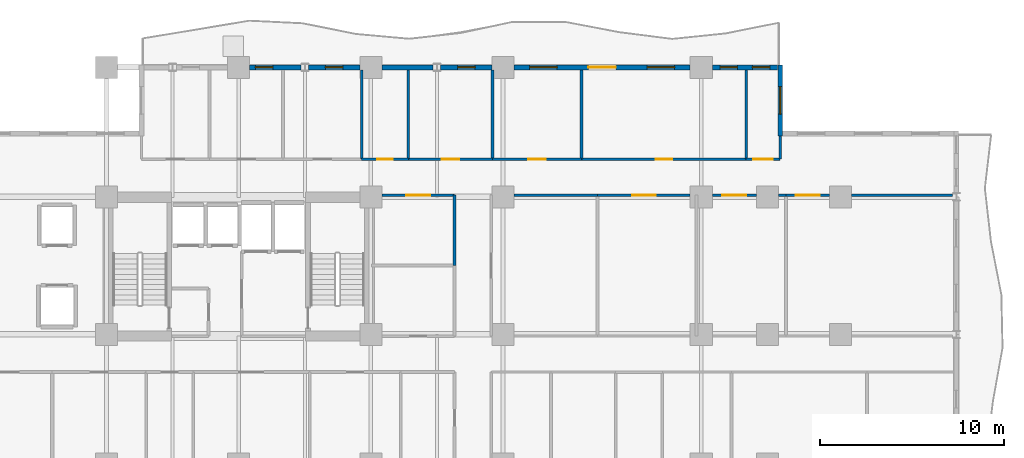
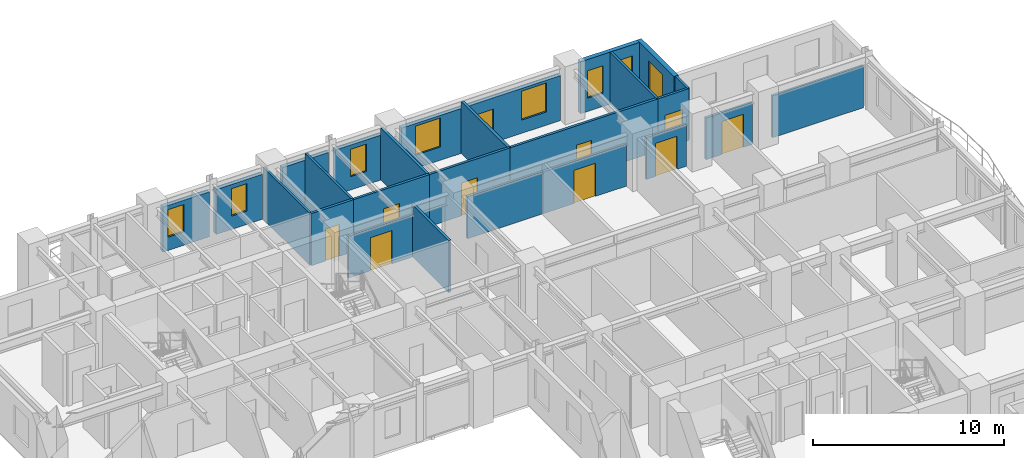
# One storey, part 7 of 11: 26 walls, 10 doors, 8 windows, 18 openings.
"""IFC4 building model written with IfcOpenShell, lengths in metres."""

from ifc_helpers import new_model, si_unit, direction, frame, frame_2d, origin, place, context, subcontext, project, spatial, rectangle, extrude, material, layer, layer_set, type_object, element, fill, save


model = new_model("IFC4")

# Units and contexts
model_context = context("Model", 3, precision=1e-05, world=origin(), true_north=direction((0.0, 1.0)))
body_context = subcontext(model_context, "Body", "Model", "MODEL_VIEW")
ifc_project = project(units=[si_unit("LENGTHUNIT", "METRE"), si_unit("AREAUNIT", "SQUARE_METRE"), si_unit("VOLUMEUNIT", "CUBIC_METRE"), si_unit("PLANEANGLEUNIT", "RADIAN"), si_unit("MASSUNIT", "GRAM", prefix="KILO")], contexts=[model_context])

# Site, building, storey
site_placement = place(None, origin())
site = spatial("IfcSite", under=ifc_project, at=site_placement, CompositionType="ELEMENT")
building_placement = place(site_placement, origin())
building = spatial("IfcBuilding", under=site, at=building_placement, Name="Kaliganga Portal Commons", CompositionType="ELEMENT")
storey_placement = place(building_placement, frame((0.0, 0.0, 126.699951171875)))
storey = spatial("IfcBuildingStorey", under=building, at=storey_placement, Name="L32", CompositionType="ELEMENT", Elevation=126.699951171875)

# Wall, opening, window
ifc_material_1 = material(Name="Insulated Aluminium-Clad Spandrel Assembly", Category="aluminium")
ifc_layer_1 = layer(ifc_material_1, 0.260009765625)
ifc_layer_set_1 = layer_set([ifc_layer_1], Name="Insulated Aluminium-Clad Spandrel Assembly")
wall_type_1 = type_object("IfcWallType", Name="WL-EXT-SPAND-260", PredefinedType="STANDARD", material=ifc_layer_set_1)
wall_1_placement = place(storey_placement, frame((51.10009765625, 43.330078125, 0.0), z_axis=(0.0, 0.0, 1.0), x_axis=(0.0, -1.0, 0.0)))
wall_1 = element("IfcWall", 1, at=wall_1_placement, inside=storey, type_object=wall_type_1, Name="Exterior Envelope Wall L32 P1-E05-S1", PredefinedType="STANDARD", context=body_context, shape_type="SweptSolid", body=[
    extrude(rectangle(XDim=3.860107421875, YDim=0.260009765625, at=frame_2d((1.93017578125, 0.0))), origin(), (0.0, 0.0, 1.0), 3.320068359375),
])
opening_1_placement = place(wall_1_placement, frame((1.179931640625, 0.0, 0.85009765625)))
opening_1 = element("IfcOpeningElement", 2, at=opening_1_placement, cuts=wall_1, Name="Opening W-02", PredefinedType="OPENING", context=body_context, shape_type="SweptSolid", body=[
    extrude(rectangle(XDim=1.5, YDim=1.85009765625, at=frame_2d((0.75, 0.925048828125))), frame((0.0, 0.14013671875, 0.0), z_axis=(0.0, -1.0, 0.0), x_axis=(1.0, 0.0, 0.0)), (0.0, 0.0, 1.0), 0.280029296875),
])
ifc_material_2 = material(Name="Thermally Broken Aluminium and Low-E Double Glazing", Category="aluminium")
window_type_1 = type_object("IfcWindowType", Name="WIN-STD-1500", PartitioningType="DOUBLE_PANEL_VERTICAL", PredefinedType="WINDOW", material=ifc_material_2)
window_1_placement = place(opening_1_placement, origin())
window_1 = element("IfcWindow", 3, at=window_1_placement, inside=storey, type_object=window_type_1, Name="Facade Window L32-P1E05S1-00", OverallHeight=1.85009765625, OverallWidth=1.5, PartitioningType="SINGLE_PANEL", PredefinedType="WINDOW", context=body_context, shape_type="SweptSolid", body=[
    extrude(rectangle(XDim=1.5, YDim=1.85009765625, at=frame_2d((0.75, 0.925048828125))), frame((0.0, 0.030029296875, 0.0), z_axis=(0.0, -1.0, 0.0), x_axis=(1.0, 0.0, 0.0)), (0.0, 0.0, 1.0), 0.06005859375),
])
fill(opening_1, window_1)

# Wall, openings, windows
wall_2_placement = place(storey_placement, frame((47.40087890625, 43.199951171875, 0.0), z_axis=(0.0, 0.0, 1.0), x_axis=(1.0, 0.0, 0.0)))
wall_2 = element("IfcWall", 4, at=wall_2_placement, inside=storey, type_object=wall_type_1, Name="Exterior Envelope Wall L32 P1-E06-S1", PredefinedType="STANDARD", context=body_context, shape_type="SweptSolid", body=[
    extrude(rectangle(XDim=3.564208984375, YDim=0.260009765625, at=frame_2d((1.7822265625, 0.0))), origin(), (0.0, 0.0, 1.0), 3.320068359375),
])
opening_2_placement = place(wall_2_placement, frame((0.423095703125, 0.0, 0.85009765625)))
opening_2 = element("IfcOpeningElement", 5, at=opening_2_placement, cuts=wall_2, Name="Opening W-04", PredefinedType="OPENING", context=body_context, shape_type="SweptSolid", body=[
    extrude(rectangle(XDim=0.949951171875, YDim=1.75, at=frame_2d((0.47509765625, 0.875))), frame((0.0, 0.14013671875, 0.0), z_axis=(0.0, -1.0, 0.0), x_axis=(1.0, 0.0, 0.0)), (0.0, 0.0, 1.0), 0.280029296875),
])
opening_3_placement = place(wall_2_placement, frame((2.19091796875, 0.0, 0.85009765625)))
opening_3 = element("IfcOpeningElement", 6, at=opening_3_placement, cuts=wall_2, Name="Opening W-04", PredefinedType="OPENING", context=body_context, shape_type="SweptSolid", body=[
    extrude(rectangle(XDim=0.949951171875, YDim=1.75, at=frame_2d((0.47509765625, 0.875))), frame((0.0, 0.14013671875, 0.0), z_axis=(0.0, -1.0, 0.0), x_axis=(1.0, 0.0, 0.0)), (0.0, 0.0, 1.0), 0.280029296875),
])
window_type_2 = type_object("IfcWindowType", Name="WIN-NARROW-950", PartitioningType="SINGLE_PANEL", PredefinedType="WINDOW", material=ifc_material_2)
window_2_placement = place(opening_2_placement, origin())
window_2 = element("IfcWindow", 7, at=window_2_placement, inside=storey, type_object=window_type_2, Name="Facade Window L32-P1E06S1-N1", OverallHeight=1.75, OverallWidth=0.949951171875, PartitioningType="SINGLE_PANEL", PredefinedType="WINDOW", context=body_context, shape_type="SweptSolid", body=[
    extrude(rectangle(XDim=0.949951171875, YDim=1.75, at=frame_2d((0.47509765625, 0.875))), frame((0.0, 0.030029296875, 0.0), z_axis=(0.0, -1.0, 0.0), x_axis=(1.0, 0.0, 0.0)), (0.0, 0.0, 1.0), 0.06005859375),
])
fill(opening_2, window_2)
window_3_placement = place(opening_3_placement, origin())
window_3 = element("IfcWindow", 8, at=window_3_placement, inside=storey, type_object=window_type_2, Name="Facade Window L32-P1E06S1-N2", OverallHeight=1.75, OverallWidth=0.949951171875, PartitioningType="SINGLE_PANEL", PredefinedType="WINDOW", context=body_context, shape_type="SweptSolid", body=[
    extrude(rectangle(XDim=0.949951171875, YDim=1.75, at=frame_2d((0.47509765625, 0.875))), frame((0.0, 0.030029296875, 0.0), z_axis=(0.0, -1.0, 0.0), x_axis=(1.0, 0.0, 0.0)), (0.0, 0.0, 1.0), 0.06005859375),
])
fill(opening_3, window_3)

# Wall, openings, door, windows
wall_3_placement = place(storey_placement, frame((36.60107421875, 43.199951171875, 0.0), z_axis=(0.0, 0.0, 1.0), x_axis=(1.0, 0.0, 0.0)))
wall_3 = element("IfcWall", 9, at=wall_3_placement, inside=storey, type_object=wall_type_1, Name="Exterior Envelope Wall L32 P1-E06-S2", PredefinedType="STANDARD", context=body_context, shape_type="SweptSolid", body=[
    extrude(rectangle(XDim=9.597900390625, YDim=0.260009765625, at=frame_2d((4.798828125, 0.0))), origin(), (0.0, 0.0, 1.0), 2.8701171875),
])
opening_4_placement = place(wall_3_placement, frame((4.049072265625, 0.0, 0.0)))
opening_4 = element("IfcOpeningElement", 10, at=opening_4_placement, cuts=wall_3, Name="Opening BD-01", PredefinedType="OPENING", context=body_context, shape_type="SweptSolid", body=[
    extrude(rectangle(XDim=1.5, YDim=2.14990234375, at=frame_2d((0.75, 1.074951171875))), frame((0.0, 0.14013671875, 0.0), z_axis=(0.0, -1.0, 0.0), x_axis=(1.0, 0.0, 0.0)), (0.0, 0.0, 1.0), 0.280029296875),
])
opening_5_placement = place(wall_3_placement, frame((0.849609375, 0.0, 0.85009765625)))
opening_5 = element("IfcOpeningElement", 11, at=opening_5_placement, cuts=wall_3, Name="Opening W-02", PredefinedType="OPENING", context=body_context, shape_type="SweptSolid", body=[
    extrude(rectangle(XDim=1.5, YDim=1.85009765625, at=frame_2d((0.75, 0.925048828125))), frame((0.0, 0.14013671875, 0.0), z_axis=(0.0, -1.0, 0.0), x_axis=(1.0, 0.0, 0.0)), (0.0, 0.0, 1.0), 0.280029296875),
])
opening_6_placement = place(wall_3_placement, frame((7.248291015625, 0.0, 0.85009765625)))
opening_6 = element("IfcOpeningElement", 12, at=opening_6_placement, cuts=wall_3, Name="Opening W-02", PredefinedType="OPENING", context=body_context, shape_type="SweptSolid", body=[
    extrude(rectangle(XDim=1.5, YDim=1.85009765625, at=frame_2d((0.75, 0.925048828125))), frame((0.0, 0.14013671875, 0.0), z_axis=(0.0, -1.0, 0.0), x_axis=(1.0, 0.0, 0.0)), (0.0, 0.0, 1.0), 0.280029296875),
])
ifc_material_3 = material(Name="Anodized Aluminium and Laminated Safety Glass", Category="aluminium")
door_type_1 = type_object("IfcDoorType", Name="DR-BALC-1500", OperationType="SLIDING_TO_LEFT", PredefinedType="DOOR", material=ifc_material_3)
door_1_placement = place(opening_4_placement, origin())
door_1 = element("IfcDoor", 13, at=door_1_placement, inside=storey, type_object=door_type_1, Name="Balcony Sliding Door L32 balc_north", OperationType="SLIDING_TO_LEFT", OverallHeight=2.14990234375, OverallWidth=1.5, PredefinedType="DOOR", context=body_context, shape_type="SweptSolid", body=[
    extrude(rectangle(XDim=1.5, YDim=2.14990234375, at=frame_2d((0.75, 1.074951171875))), frame((0.0, 0.02490234375, 0.0), z_axis=(0.0, -1.0, 0.0), x_axis=(1.0, 0.0, 0.0)), (0.0, 0.0, 1.0), 0.050048828125),
])
fill(opening_4, door_1)
window_4_placement = place(opening_5_placement, origin())
window_4 = element("IfcWindow", 14, at=window_4_placement, inside=storey, type_object=window_type_1, Name="Facade Window L32-P1E06S2-00", OverallHeight=1.85009765625, OverallWidth=1.5, PartitioningType="SINGLE_PANEL", PredefinedType="WINDOW", context=body_context, shape_type="SweptSolid", body=[
    extrude(rectangle(XDim=1.5, YDim=1.85009765625, at=frame_2d((0.75, 0.925048828125))), frame((0.0, 0.030029296875, 0.0), z_axis=(0.0, -1.0, 0.0), x_axis=(1.0, 0.0, 0.0)), (0.0, 0.0, 1.0), 0.06005859375),
])
fill(opening_5, window_4)
window_5_placement = place(opening_6_placement, origin())
window_5 = element("IfcWindow", 15, at=window_5_placement, inside=storey, type_object=window_type_1, Name="Facade Window L32-P1E06S2-02", OverallHeight=1.85009765625, OverallWidth=1.5, PartitioningType="SINGLE_PANEL", PredefinedType="WINDOW", context=body_context, shape_type="SweptSolid", body=[
    extrude(rectangle(XDim=1.5, YDim=1.85009765625, at=frame_2d((0.75, 0.925048828125))), frame((0.0, 0.030029296875, 0.0), z_axis=(0.0, -1.0, 0.0), x_axis=(1.0, 0.0, 0.0)), (0.0, 0.0, 1.0), 0.06005859375),
])
fill(opening_6, window_5)

# Wall, opening, window
wall_4_placement = place(storey_placement, frame((32.60546875, 43.199951171875, 0.0), z_axis=(0.0, 0.0, 1.0), x_axis=(1.0, 0.0, 0.0)))
wall_4 = element("IfcWall", 16, at=wall_4_placement, inside=storey, type_object=wall_type_1, Name="Exterior Envelope Wall L32 P1-E06-S3", PredefinedType="STANDARD", context=body_context, shape_type="SweptSolid", body=[
    extrude(rectangle(XDim=2.79345703125, YDim=0.260009765625, at=frame_2d((1.396728515625, 0.0))), origin(), (0.0, 0.0, 1.0), 2.8701171875),
])
opening_7_placement = place(wall_4_placement, frame((0.921875, 0.0, 0.85009765625)))
opening_7 = element("IfcOpeningElement", 17, at=opening_7_placement, cuts=wall_4, Name="Opening W-04", PredefinedType="OPENING", context=body_context, shape_type="SweptSolid", body=[
    extrude(rectangle(XDim=0.949951171875, YDim=1.75, at=frame_2d((0.47509765625, 0.875))), frame((0.0, 0.14013671875, 0.0), z_axis=(0.0, -1.0, 0.0), x_axis=(1.0, 0.0, 0.0)), (0.0, 0.0, 1.0), 0.280029296875),
])
window_6_placement = place(opening_7_placement, origin())
window_6 = element("IfcWindow", 18, at=window_6_placement, inside=storey, type_object=window_type_2, Name="Facade Window L32-P1E06S3-00", OverallHeight=1.75, OverallWidth=0.949951171875, PartitioningType="SINGLE_PANEL", PredefinedType="WINDOW", context=body_context, shape_type="SweptSolid", body=[
    extrude(rectangle(XDim=0.949951171875, YDim=1.75, at=frame_2d((0.47509765625, 0.875))), frame((0.0, 0.030029296875, 0.0), z_axis=(0.0, -1.0, 0.0), x_axis=(1.0, 0.0, 0.0)), (0.0, 0.0, 1.0), 0.06005859375),
])
fill(opening_7, window_6)

# Wall
wall_5_placement = place(storey_placement, frame((29.40087890625, 43.199951171875, 0.0), z_axis=(0.0, 0.0, 1.0), x_axis=(1.0, 0.0, 0.0)))
element("IfcWall", 19, at=wall_5_placement, inside=storey, type_object=wall_type_1, Name="Exterior Envelope Wall L32 P1-E06-S4", PredefinedType="STANDARD", context=body_context, shape_type="SweptSolid", body=[
    extrude(rectangle(XDim=2.793701171875, YDim=0.260009765625, at=frame_2d((1.39697265625, 0.0))), origin(), (0.0, 0.0, 1.0), 2.8701171875),
])

# Wall, opening, window
wall_6_placement = place(storey_placement, frame((25.405517578125, 43.199951171875, 0.0), z_axis=(0.0, 0.0, 1.0), x_axis=(1.0, 0.0, 0.0)))
wall_6 = element("IfcWall", 20, at=wall_6_placement, inside=storey, type_object=wall_type_1, Name="Exterior Envelope Wall L32 P1-E06-S5", PredefinedType="STANDARD", context=body_context, shape_type="SweptSolid", body=[
    extrude(rectangle(XDim=2.79345703125, YDim=0.260009765625, at=frame_2d((1.396728515625, 0.0))), origin(), (0.0, 0.0, 1.0), 2.8701171875),
])
opening_8_placement = place(wall_6_placement, frame((0.921875, 0.0, 0.85009765625)))
opening_8 = element("IfcOpeningElement", 21, at=opening_8_placement, cuts=wall_6, Name="Opening W-04", PredefinedType="OPENING", context=body_context, shape_type="SweptSolid", body=[
    extrude(rectangle(XDim=0.949951171875, YDim=1.75, at=frame_2d((0.47509765625, 0.875))), frame((0.0, 0.14013671875, 0.0), z_axis=(0.0, -1.0, 0.0), x_axis=(1.0, 0.0, 0.0)), (0.0, 0.0, 1.0), 0.280029296875),
])
window_7_placement = place(opening_8_placement, origin())
window_7 = element("IfcWindow", 22, at=window_7_placement, inside=storey, type_object=window_type_2, Name="Facade Window L32-P1E06S5-00", OverallHeight=1.75, OverallWidth=0.949951171875, PartitioningType="SINGLE_PANEL", PredefinedType="WINDOW", context=body_context, shape_type="SweptSolid", body=[
    extrude(rectangle(XDim=0.949951171875, YDim=1.75, at=frame_2d((0.47509765625, 0.875))), frame((0.0, 0.030029296875, 0.0), z_axis=(0.0, -1.0, 0.0), x_axis=(1.0, 0.0, 0.0)), (0.0, 0.0, 1.0), 0.06005859375),
])
fill(opening_8, window_7)

wall_7_placement = place(storey_placement, frame((22.200927734375, 43.199951171875, 0.0), z_axis=(0.0, 0.0, 1.0), x_axis=(1.0, 0.0, 0.0)))
wall_7 = element("IfcWall", 23, at=wall_7_placement, inside=storey, type_object=wall_type_1, Name="Exterior Envelope Wall L32 P1-E06-S6", PredefinedType="STANDARD", context=body_context, shape_type="SweptSolid", body=[
    extrude(rectangle(XDim=2.79345703125, YDim=0.260009765625, at=frame_2d((1.396728515625, 0.0))), origin(), (0.0, 0.0, 1.0), 2.8701171875),
])
opening_9_placement = place(wall_7_placement, frame((0.30712890625, 0.0, 0.85009765625)))
opening_9 = element("IfcOpeningElement", 24, at=opening_9_placement, cuts=wall_7, Name="Opening W-04", PredefinedType="OPENING", context=body_context, shape_type="SweptSolid", body=[
    extrude(rectangle(XDim=0.949951171875, YDim=1.75, at=frame_2d((0.47509765625, 0.875))), frame((0.0, 0.14013671875, 0.0), z_axis=(0.0, -1.0, 0.0), x_axis=(1.0, 0.0, 0.0)), (0.0, 0.0, 1.0), 0.280029296875),
])
window_8_placement = place(opening_9_placement, origin())
window_8 = element("IfcWindow", 25, at=window_8_placement, inside=storey, type_object=window_type_2, Name="Facade Window L32-P1E06S6-N3", OverallHeight=1.75, OverallWidth=0.949951171875, PartitioningType="SINGLE_PANEL", PredefinedType="WINDOW", context=body_context, shape_type="SweptSolid", body=[
    extrude(rectangle(XDim=0.949951171875, YDim=1.75, at=frame_2d((0.47509765625, 0.875))), frame((0.0, 0.030029296875, 0.0), z_axis=(0.0, -1.0, 0.0), x_axis=(1.0, 0.0, 0.0)), (0.0, 0.0, 1.0), 0.06005859375),
])
fill(opening_9, window_8)

# Wall, opening, door
ifc_material_4 = material(Name="Fire-Rated Gypsum Board on Steel Stud", Category="steel")
ifc_layer_2 = layer(ifc_material_4, 0.14990234375)
ifc_layer_set_2 = layer_set([ifc_layer_2], Name="Fire-Rated Gypsum Board on Steel Stud")
wall_type_2 = type_object("IfcWallType", Name="WL-PART-CORR-150", PredefinedType="PARTITIONING", material=ifc_layer_set_2)
wall_8_placement = place(storey_placement, frame((51.419921875, 36.239990234375, 0.0), z_axis=(0.0, 0.0, 1.0), x_axis=(1.0, 0.0, 0.0)))
wall_8 = element("IfcWall", 26, at=wall_8_placement, inside=storey, type_object=wall_type_2, Name="Interior Partition L32-005", PredefinedType="PARTITIONING", context=body_context, shape_type="SweptSolid", body=[
    extrude(rectangle(XDim=2.380126953125, YDim=0.14990234375, at=frame_2d((1.18994140625, 0.0))), origin(), (0.0, 0.0, 1.0), 2.670166015625),
])
opening_10_placement = place(wall_8_placement, frame((0.5400390625, 0.0, 0.0)))
opening_10 = element("IfcOpeningElement", 27, at=opening_10_placement, cuts=wall_8, Name="Opening RD-03", PredefinedType="OPENING", context=body_context, shape_type="SweptSolid", body=[
    extrude(rectangle(XDim=1.300048828125, YDim=2.1201171875, at=frame_2d((0.64990234375, 1.06005859375))), frame((0.0, 0.0849609375, 0.0), z_axis=(0.0, -1.0, 0.0), x_axis=(1.0, 0.0, 0.0)), (0.0, 0.0, 1.0), 0.169921875),
])
ifc_material_5 = material(Name="Glazed Timber Seminar Vision Door", Category="wood")
door_type_2 = type_object("IfcDoorType", Name="DR-STUDY-1300", OperationType="DOUBLE_DOOR_SINGLE_SWING", PredefinedType="DOOR", material=ifc_material_5)
door_2_placement = place(opening_10_placement, origin())
door_2 = element("IfcDoor", 28, at=door_2_placement, inside=storey, type_object=door_type_2, Name="Interior Door L32-BK04", OperationType="DOUBLE_DOOR_SINGLE_SWING", OverallHeight=2.1201171875, OverallWidth=1.300048828125, PredefinedType="DOOR", context=body_context, shape_type="SweptSolid", body=[
    extrude(rectangle(XDim=1.300048828125, YDim=2.1201171875, at=frame_2d((0.64990234375, 1.06005859375))), frame((0.0, 0.02490234375, 0.0), z_axis=(0.0, -1.0, 0.0), x_axis=(1.0, 0.0, 0.0)), (0.0, 0.0, 1.0), 0.050048828125),
])
fill(opening_10, door_2)

# Wall
wall_9_placement = place(storey_placement, frame((55.0, 36.239990234375, 0.0), z_axis=(0.0, 0.0, 1.0), x_axis=(1.0, 0.0, 0.0)))
element("IfcWall", 29, at=wall_9_placement, inside=storey, type_object=wall_type_2, Name="Interior Partition L32-006", PredefinedType="PARTITIONING", context=body_context, shape_type="SweptSolid", body=[
    extrude(rectangle(XDim=5.49560546875, YDim=0.14990234375, at=frame_2d((2.747802734375, 0.0))), origin(), (0.0, 0.0, 1.0), 2.670166015625),
])

# Wall, opening, door
wall_10_placement = place(storey_placement, frame((40.280029296875, 38.199951171875, 0.0), z_axis=(0.0, 0.0, 1.0), x_axis=(1.0, 0.0, 0.0)))
wall_10 = element("IfcWall", 30, at=wall_10_placement, inside=storey, type_object=wall_type_2, Name="Interior Partition L32-007", PredefinedType="PARTITIONING", context=body_context, shape_type="SweptSolid", body=[
    extrude(rectangle(XDim=8.9599609375, YDim=0.14990234375, at=frame_2d((4.47998046875, 0.0))), origin(), (0.0, 0.0, 1.0), 3.320068359375),
])
opening_11_placement = place(wall_10_placement, frame((4.030029296875, 0.0, 0.0)))
opening_11 = element("IfcOpeningElement", 31, at=opening_11_placement, cuts=wall_10, Name="Opening RD-01", PredefinedType="OPENING", context=body_context, shape_type="SweptSolid", body=[
    extrude(rectangle(XDim=0.89990234375, YDim=2.080078125, at=frame_2d((0.449951171875, 1.0400390625))), frame((0.0, 0.0849609375, 0.0), z_axis=(0.0, -1.0, 0.0), x_axis=(1.0, 0.0, 0.0)), (0.0, 0.0, 1.0), 0.169921875),
])
ifc_material_6 = material(Name="Engineered Timber Flush Door", Category="wood")
door_type_3 = type_object("IfcDoorType", Name="DR-ROOM-900", OperationType="NOTDEFINED", PredefinedType="DOOR", material=ifc_material_6)
door_3_placement = place(opening_11_placement, origin())
door_3 = element("IfcDoor", 32, at=door_3_placement, inside=storey, type_object=door_type_3, Name="Interior Door L32-AN07", OperationType="SINGLE_SWING_LEFT", OverallHeight=2.080078125, OverallWidth=0.89990234375, PredefinedType="DOOR", context=body_context, shape_type="SweptSolid", body=[
    extrude(rectangle(XDim=0.89990234375, YDim=2.080078125, at=frame_2d((0.449951171875, 1.0400390625))), frame((0.0, 0.02490234375, 0.0), z_axis=(0.0, -1.0, 0.0), x_axis=(1.0, 0.0, 0.0)), (0.0, 0.0, 1.0), 0.050048828125),
])
fill(opening_11, door_3)

# Wall
wall_11_placement = place(storey_placement, frame((36.60009765625, 36.239990234375, 0.0), z_axis=(0.0, 0.0, 1.0), x_axis=(1.0, 0.0, 0.0)))
element("IfcWall", 33, at=wall_11_placement, inside=storey, type_object=wall_type_2, Name="Interior Partition L32-013", PredefinedType="PARTITIONING", context=body_context, shape_type="SweptSolid", body=[
    extrude(rectangle(XDim=4.559814453125, YDim=0.14990234375, at=frame_2d((2.27978515625, 0.0))), origin(), (0.0, 0.0, 1.0), 2.670166015625),
])

# Wall, opening, door
wall_12_placement = place(storey_placement, frame((41.159912109375, 36.239990234375, 0.0), z_axis=(0.0, 0.0, 1.0), x_axis=(1.0, 0.0, 0.0)))
wall_12 = element("IfcWall", 34, at=wall_12_placement, inside=storey, type_object=wall_type_2, Name="Interior Partition L32-014", PredefinedType="PARTITIONING", context=body_context, shape_type="SweptSolid", body=[
    extrude(rectangle(XDim=5.0400390625, YDim=0.14990234375, at=frame_2d((2.52001953125, 0.0))), origin(), (0.0, 0.0, 1.0), 2.670166015625),
])
opening_12_placement = place(wall_12_placement, frame((1.8701171875, 0.0, 0.0)))
opening_12 = element("IfcOpeningElement", 35, at=opening_12_placement, cuts=wall_12, Name="Opening RD-03", PredefinedType="OPENING", context=body_context, shape_type="SweptSolid", body=[
    extrude(rectangle(XDim=1.300048828125, YDim=2.1201171875, at=frame_2d((0.64990234375, 1.06005859375))), frame((0.0, 0.0849609375, 0.0), z_axis=(0.0, -1.0, 0.0), x_axis=(1.0, 0.0, 0.0)), (0.0, 0.0, 1.0), 0.169921875),
])
door_4_placement = place(opening_12_placement, origin())
door_4 = element("IfcDoor", 36, at=door_4_placement, inside=storey, type_object=door_type_2, Name="Interior Door L32-BK02", OperationType="DOUBLE_DOOR_SINGLE_SWING", OverallHeight=2.1201171875, OverallWidth=1.300048828125, PredefinedType="DOOR", context=body_context, shape_type="SweptSolid", body=[
    extrude(rectangle(XDim=1.300048828125, YDim=2.1201171875, at=frame_2d((0.64990234375, 1.06005859375))), frame((0.0, 0.02490234375, 0.0), z_axis=(0.0, -1.0, 0.0), x_axis=(1.0, 0.0, 0.0)), (0.0, 0.0, 1.0), 0.050048828125),
])
fill(opening_12, door_4)

wall_13_placement = place(storey_placement, frame((47.39990234375, 36.239990234375, 0.0), z_axis=(0.0, 0.0, 1.0), x_axis=(1.0, 0.0, 0.0)))
wall_13 = element("IfcWall", 37, at=wall_13_placement, inside=storey, type_object=wall_type_2, Name="Interior Partition L32-019", PredefinedType="PARTITIONING", context=body_context, shape_type="SweptSolid", body=[
    extrude(rectangle(XDim=2.400146484375, YDim=0.14990234375, at=frame_2d((1.2001953125, 0.0))), origin(), (0.0, 0.0, 1.0), 2.670166015625),
])
opening_13_placement = place(wall_13_placement, frame((0.550048828125, 0.0, 0.0)))
opening_13 = element("IfcOpeningElement", 38, at=opening_13_placement, cuts=wall_13, Name="Opening RD-03", PredefinedType="OPENING", context=body_context, shape_type="SweptSolid", body=[
    extrude(rectangle(XDim=1.300048828125, YDim=2.1201171875, at=frame_2d((0.64990234375, 1.06005859375))), frame((0.0, 0.0849609375, 0.0), z_axis=(0.0, -1.0, 0.0), x_axis=(1.0, 0.0, 0.0)), (0.0, 0.0, 1.0), 0.169921875),
])
door_5_placement = place(opening_13_placement, origin())
door_5 = element("IfcDoor", 39, at=door_5_placement, inside=storey, type_object=door_type_2, Name="Interior Door L32-BK03", OperationType="DOUBLE_DOOR_SINGLE_SWING", OverallHeight=2.1201171875, OverallWidth=1.300048828125, PredefinedType="DOOR", context=body_context, shape_type="SweptSolid", body=[
    extrude(rectangle(XDim=1.300048828125, YDim=2.1201171875, at=frame_2d((0.64990234375, 1.06005859375))), frame((0.0, 0.02490234375, 0.0), z_axis=(0.0, -1.0, 0.0), x_axis=(1.0, 0.0, 0.0)), (0.0, 0.0, 1.0), 0.050048828125),
])
fill(opening_13, door_5)

# Wall
wall_14_placement = place(storey_placement, frame((51.0, 36.239990234375, 0.0), z_axis=(0.0, 0.0, 1.0), x_axis=(1.0, 0.0, 0.0)))
element("IfcWall", 40, at=wall_14_placement, inside=storey, type_object=wall_type_2, Name="Interior Partition L32-020", PredefinedType="PARTITIONING", context=body_context, shape_type="SweptSolid", body=[
    extrude(rectangle(XDim=0.419921875, YDim=0.14990234375, at=frame_2d((0.2099609375, 0.0))), origin(), (0.0, 0.0, 1.0), 2.670166015625),
])

# Wall, opening, door
wall_15_placement = place(storey_placement, frame((35.419921875, 38.199951171875, 0.0), z_axis=(0.0, 0.0, 1.0), x_axis=(1.0, 0.0, 0.0)))
wall_15 = element("IfcWall", 41, at=wall_15_placement, inside=storey, type_object=wall_type_2, Name="Interior Partition L32-021", PredefinedType="PARTITIONING", context=body_context, shape_type="SweptSolid", body=[
    extrude(rectangle(XDim=4.860107421875, YDim=0.14990234375, at=frame_2d((2.43017578125, 0.0))), origin(), (0.0, 0.0, 1.0), 3.320068359375),
])
opening_14_placement = place(wall_15_placement, frame((1.955078125, 0.0, 0.0)))
opening_14 = element("IfcOpeningElement", 42, at=opening_14_placement, cuts=wall_15, Name="Opening UD-01", PredefinedType="OPENING", context=body_context, shape_type="SweptSolid", body=[
    extrude(rectangle(XDim=0.949951171875, YDim=2.10009765625, at=frame_2d((0.47509765625, 1.050048828125))), frame((0.0, 0.0849609375, 0.0), z_axis=(0.0, -1.0, 0.0), x_axis=(1.0, 0.0, 0.0)), (0.0, 0.0, 1.0), 0.169921875),
])
ifc_material_7 = material(Name="Solid-Core Timber Acoustic Fire Door", Category="wood")
door_type_4 = type_object("IfcDoorType", Name="DR-UNIT-950", OperationType="NOTDEFINED", PredefinedType="DOOR", material=ifc_material_7)
door_6_placement = place(opening_14_placement, origin())
door_6 = element("IfcDoor", 43, at=door_6_placement, inside=storey, type_object=door_type_4, Name="Interior Door L32-AN06", OperationType="SINGLE_SWING_LEFT", OverallHeight=2.10009765625, OverallWidth=0.949951171875, PredefinedType="DOOR", context=body_context, shape_type="SweptSolid", body=[
    extrude(rectangle(XDim=0.949951171875, YDim=2.10009765625, at=frame_2d((0.47509765625, 1.050048828125))), frame((0.0, 0.02490234375, 0.0), z_axis=(0.0, -1.0, 0.0), x_axis=(1.0, 0.0, 0.0)), (0.0, 0.0, 1.0), 0.050048828125),
])
fill(opening_14, door_6)

wall_16_placement = place(storey_placement, frame((30.840087890625, 38.199951171875, 0.0), z_axis=(0.0, 0.0, 1.0), x_axis=(1.0, 0.0, 0.0)))
wall_16 = element("IfcWall", 44, at=wall_16_placement, inside=storey, type_object=wall_type_2, Name="Interior Partition L32-023", PredefinedType="PARTITIONING", context=body_context, shape_type="SweptSolid", body=[
    extrude(rectangle(XDim=4.579833984375, YDim=0.14990234375, at=frame_2d((2.2900390625, 0.0))), origin(), (0.0, 0.0, 1.0), 3.320068359375),
])
opening_15_placement = place(wall_16_placement, frame((1.81494140625, 0.0, 0.0)))
opening_15 = element("IfcOpeningElement", 45, at=opening_15_placement, cuts=wall_16, Name="Opening UD-01", PredefinedType="OPENING", context=body_context, shape_type="SweptSolid", body=[
    extrude(rectangle(XDim=0.949951171875, YDim=2.10009765625, at=frame_2d((0.47509765625, 1.050048828125))), frame((0.0, 0.0849609375, 0.0), z_axis=(0.0, -1.0, 0.0), x_axis=(1.0, 0.0, 0.0)), (0.0, 0.0, 1.0), 0.169921875),
])
door_7_placement = place(opening_15_placement, origin())
door_7 = element("IfcDoor", 46, at=door_7_placement, inside=storey, type_object=door_type_4, Name="Interior Door L32-AN05", OperationType="SINGLE_SWING_LEFT", OverallHeight=2.10009765625, OverallWidth=0.949951171875, PredefinedType="DOOR", context=body_context, shape_type="SweptSolid", body=[
    extrude(rectangle(XDim=0.949951171875, YDim=2.10009765625, at=frame_2d((0.47509765625, 1.050048828125))), frame((0.0, 0.02490234375, 0.0), z_axis=(0.0, -1.0, 0.0), x_axis=(1.0, 0.0, 0.0)), (0.0, 0.0, 1.0), 0.050048828125),
])
fill(opening_15, door_7)

wall_17_placement = place(storey_placement, frame((29.39990234375, 36.239990234375, 0.0), z_axis=(0.0, 0.0, 1.0), x_axis=(1.0, 0.0, 0.0)))
wall_17 = element("IfcWall", 47, at=wall_17_placement, inside=storey, type_object=wall_type_2, Name="Interior Partition L32-025", PredefinedType="PARTITIONING", context=body_context, shape_type="SweptSolid", body=[
    extrude(rectangle(XDim=3.960205078125, YDim=0.14990234375, at=frame_2d((1.97998046875, 0.0))), origin(), (0.0, 0.0, 1.0), 2.670166015625),
])
opening_16_placement = place(wall_17_placement, frame((1.330078125, 0.0, 0.0)))
opening_16 = element("IfcOpeningElement", 48, at=opening_16_placement, cuts=wall_17, Name="Opening RD-03", PredefinedType="OPENING", context=body_context, shape_type="SweptSolid", body=[
    extrude(rectangle(XDim=1.300048828125, YDim=2.1201171875, at=frame_2d((0.64990234375, 1.06005859375))), frame((0.0, 0.0849609375, 0.0), z_axis=(0.0, -1.0, 0.0), x_axis=(1.0, 0.0, 0.0)), (0.0, 0.0, 1.0), 0.169921875),
])
door_8_placement = place(opening_16_placement, origin())
door_8 = element("IfcDoor", 49, at=door_8_placement, inside=storey, type_object=door_type_2, Name="Interior Door L32-CSRV_A2", OperationType="DOUBLE_DOOR_SINGLE_SWING", OverallHeight=2.1201171875, OverallWidth=1.300048828125, PredefinedType="DOOR", context=body_context, shape_type="SweptSolid", body=[
    extrude(rectangle(XDim=1.300048828125, YDim=2.1201171875, at=frame_2d((0.64990234375, 1.06005859375))), frame((0.0, 0.02490234375, 0.0), z_axis=(0.0, -1.0, 0.0), x_axis=(1.0, 0.0, 0.0)), (0.0, 0.0, 1.0), 0.050048828125),
])
fill(opening_16, door_8)

# Wall
wall_18_placement = place(storey_placement, frame((33.360107421875, 32.39990234375, 0.0), z_axis=(0.0, 0.0, 1.0), x_axis=(0.0, 1.0, 0.0)))
element("IfcWall", 50, at=wall_18_placement, inside=storey, type_object=wall_type_2, Name="Interior Partition L32-028", PredefinedType="PARTITIONING", context=body_context, shape_type="SweptSolid", body=[
    extrude(rectangle(XDim=3.840087890625, YDim=0.14990234375, at=frame_2d((1.919921875, 0.0))), origin(), (0.0, 0.0, 1.0), 3.320068359375),
])

# Wall, opening, door
wall_19_placement = place(storey_placement, frame((28.300048828125, 38.199951171875, 0.0), z_axis=(0.0, 0.0, 1.0), x_axis=(1.0, 0.0, 0.0)))
wall_19 = element("IfcWall", 51, at=wall_19_placement, inside=storey, type_object=wall_type_2, Name="Interior Partition L32-038", PredefinedType="PARTITIONING", context=body_context, shape_type="SweptSolid", body=[
    extrude(rectangle(XDim=2.5400390625, YDim=0.14990234375, at=frame_2d((1.27001953125, 0.0))), origin(), (0.0, 0.0, 1.0), 3.320068359375),
])
opening_17_placement = place(wall_19_placement, frame((0.844970703125, 0.0, 0.0)))
opening_17 = element("IfcOpeningElement", 52, at=opening_17_placement, cuts=wall_19, Name="Opening WD-01", PredefinedType="OPENING", context=body_context, shape_type="SweptSolid", body=[
    extrude(rectangle(XDim=0.85009765625, YDim=2.0400390625, at=frame_2d((0.425048828125, 1.02001953125))), frame((0.0, 0.0849609375, 0.0), z_axis=(0.0, -1.0, 0.0), x_axis=(1.0, 0.0, 0.0)), (0.0, 0.0, 1.0), 0.169921875),
])
ifc_material_8 = material(Name="Moisture-Resistant Laminate Timber Door", Category="wood")
door_type_5 = type_object("IfcDoorType", Name="DR-WET-850", OperationType="NOTDEFINED", PredefinedType="DOOR", material=ifc_material_8)
door_9_placement = place(opening_17_placement, origin())
door_9 = element("IfcDoor", 53, at=door_9_placement, inside=storey, type_object=door_type_5, Name="Interior Door L32-AN04", OperationType="SINGLE_SWING_RIGHT", OverallHeight=2.0400390625, OverallWidth=0.85009765625, PredefinedType="DOOR", context=body_context, shape_type="SweptSolid", body=[
    extrude(rectangle(XDim=0.85009765625, YDim=2.0400390625, at=frame_2d((0.425048828125, 1.02001953125))), frame((0.0, 0.02490234375, 0.0), z_axis=(0.0, -1.0, 0.0), x_axis=(1.0, 0.0, 0.0)), (0.0, 0.0, 1.0), 0.050048828125),
])
fill(opening_17, door_9)

wall_20_placement = place(storey_placement, frame((49.239990234375, 38.199951171875, 0.0), z_axis=(0.0, 0.0, 1.0), x_axis=(1.0, 0.0, 0.0)))
wall_20 = element("IfcWall", 54, at=wall_20_placement, inside=storey, type_object=wall_type_2, Name="Interior Partition L32-041", PredefinedType="PARTITIONING", context=body_context, shape_type="SweptSolid", body=[
    extrude(rectangle(XDim=1.860107421875, YDim=0.14990234375, at=frame_2d((0.93017578125, 0.0))), origin(), (0.0, 0.0, 1.0), 3.320068359375),
])
opening_18_placement = place(wall_20_placement, frame((0.405029296875, 0.0, 0.0)))
opening_18 = element("IfcOpeningElement", 55, at=opening_18_placement, cuts=wall_20, Name="Opening UD-02", PredefinedType="OPENING", context=body_context, shape_type="SweptSolid", body=[
    extrude(rectangle(XDim=1.050048828125, YDim=2.1201171875, at=frame_2d((0.52490234375, 1.06005859375))), frame((0.0, 0.0849609375, 0.0), z_axis=(0.0, -1.0, 0.0), x_axis=(1.0, 0.0, 0.0)), (0.0, 0.0, 1.0), 0.169921875),
])
ifc_material_9 = material(Name="Accessible Wide-Leaf Acoustic Fire Door", Category="wood")
door_type_6 = type_object("IfcDoorType", Name="DR-ACC-1050", OperationType="NOTDEFINED", PredefinedType="DOOR", material=ifc_material_9)
door_10_placement = place(opening_18_placement, origin())
door_10 = element("IfcDoor", 56, at=door_10_placement, inside=storey, type_object=door_type_6, Name="Interior Door L32-AN08", OperationType="SINGLE_SWING_LEFT", OverallHeight=2.1201171875, OverallWidth=1.050048828125, PredefinedType="DOOR", context=body_context, shape_type="SweptSolid", body=[
    extrude(rectangle(XDim=1.050048828125, YDim=2.1201171875, at=frame_2d((0.52490234375, 1.06005859375))), frame((0.0, 0.02490234375, 0.0), z_axis=(0.0, -1.0, 0.0), x_axis=(1.0, 0.0, 0.0)), (0.0, 0.0, 1.0), 0.050048828125),
])
fill(opening_18, door_10)

# Walls
ifc_material_10 = material(Name="Twin-Stud Acoustic Gypsum Partition", Category="gypsum")
ifc_layer_3 = layer(ifc_material_10, 0.1650390625)
ifc_layer_set_3 = layer_set([ifc_layer_3], Name="Twin-Stud Acoustic Gypsum Partition")
wall_type_3 = type_object("IfcWallType", Name="WL-PART-UNIT-165", PredefinedType="PARTITIONING", material=ifc_layer_set_3)
for number, where, z_axis, x_axis, name in (
    (57, (35.419921875, 38.199951171875, 0.0), (0.0, 0.0, 1.0), (0.0, 1.0, 0.0), "Interior Partition L32-066"),
    (58, (40.280029296875, 38.199951171875, 0.0), (0.0, 0.0, 1.0), (0.0, 1.0, 0.0), "Interior Partition L32-067"),
):
    element("IfcWall", number, at=place(storey_placement, frame(where, z_axis=z_axis, x_axis=x_axis)), inside=storey, type_object=wall_type_3, Name=name, PredefinedType="PARTITIONING", context=body_context, shape_type="SweptSolid", body=[
        extrude(rectangle(XDim=4.8681640625, YDim=0.1650390625, at=frame_2d((2.43408203125, 0.0))), origin(), (0.0, 0.0, 1.0), 3.320068359375),
    ])
ifc_material_11 = material(Name="Cement-Board Wet-Room Partition", Category="gypsum")
ifc_layer_4 = layer(ifc_material_11, 0.135009765625)
ifc_layer_set_4 = layer_set([ifc_layer_4], Name="Cement-Board Wet-Room Partition")
wall_type_4 = type_object("IfcWallType", Name="WL-PART-WET-135", PredefinedType="PARTITIONING", material=ifc_layer_set_4)
for number, where, z_axis, x_axis, name in (
    (59, (28.300048828125, 38.199951171875, 0.0), (0.0, 0.0, 1.0), (0.0, 1.0, 0.0), "Interior Partition L32-063"),
    (60, (30.840087890625, 38.199951171875, 0.0), (0.0, 0.0, 1.0), (0.0, 1.0, 0.0), "Interior Partition L32-065"),
    (61, (49.239990234375, 38.199951171875, 0.0), (0.0, 0.0, 1.0), (0.0, 1.0, 0.0), "Interior Partition L32-068"),
):
    element("IfcWall", number, at=place(storey_placement, frame(where, z_axis=z_axis, x_axis=x_axis)), inside=storey, type_object=wall_type_4, Name=name, PredefinedType="PARTITIONING", context=body_context, shape_type="SweptSolid", body=[
        extrude(rectangle(XDim=4.8681640625, YDim=0.135009765625, at=frame_2d((2.43408203125, 0.0))), origin(), (0.0, 0.0, 1.0), 3.320068359375),
    ])
wall_21_placement = place(storey_placement, frame((51.10009765625, 38.199951171875, 0.0), z_axis=(0.0, 0.0, 1.0), x_axis=(0.0, 1.0, 0.0)))
element("IfcWall", 62, at=wall_21_placement, inside=storey, type_object=wall_type_4, Name="Interior Partition L32-069", PredefinedType="PARTITIONING", context=body_context, shape_type="SweptSolid", body=[
    extrude(rectangle(XDim=1.26806640625, YDim=0.135009765625, at=frame_2d((0.634033203125, 0.0))), origin(), (0.0, 0.0, 1.0), 3.320068359375),
])

save(model, "model.ifc")
